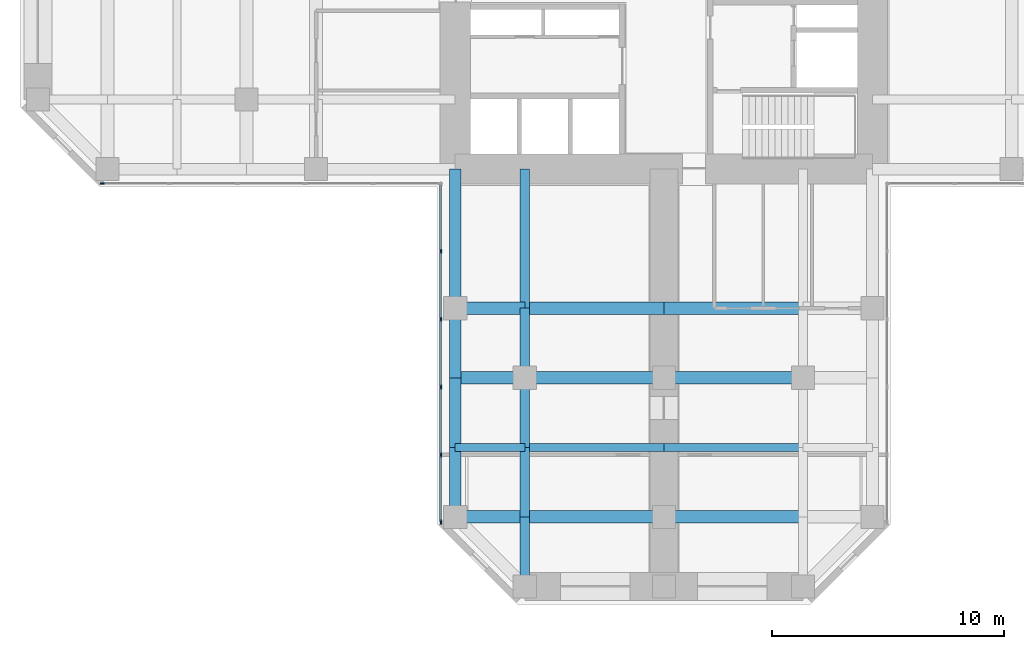
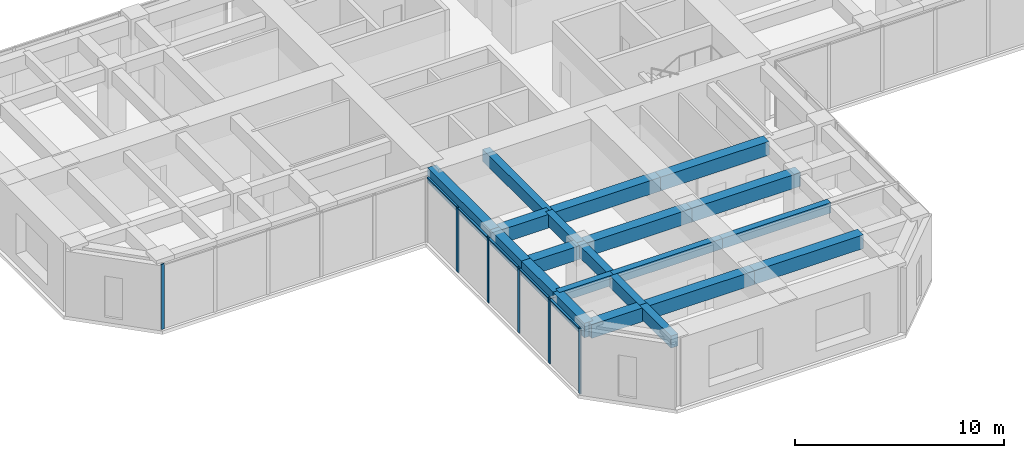
# One storey, part 2 of 12: 21 beams, 11 members, 2 elements without a shape of their own.
"""IFC4 building model written with IfcOpenShell, lengths in metres."""

import ifcopenshell
import ifcopenshell.guid

model = None  # the IFC model being written
_history = None  # IfcOwnerHistory: only IFC2X3 demands one
_inside = {}  # id of a spatial element -> (the spatial element, [elements in it])
_under = {}  # id of a project, library or spatial element -> (it, [spatial elements below it])
_declared = {}  # id of a project -> (the project, [libraries it declares])
_typed = {}  # id of a type object -> (the type object, [elements of that type])
_made_of = {}  # id of a material, layer set ... -> (it, [elements and type objects made of it])


def new_model(schema):
    """Start an empty IFC model of exactly this schema.

    Asked for "IFC4X3", IfcOpenShell would pick the latest addendum, in which some entities
    have other attributes; the version numbers below select the first issue.
    IFC2X3 requires an IfcOwnerHistory on every rooted entity: one is made here for all.
    """
    global model, _history
    if schema == "IFC4X3":
        model = ifcopenshell.file(schema_version=(4, 3, 0, 0))
    else:
        model = ifcopenshell.file(schema=schema)
    _inside.clear()
    _under.clear()
    _declared.clear()
    _typed.clear()
    _made_of.clear()
    _history = None
    if model.schema == "IFC2X3":
        org = make("IfcOrganization", Name="unknown")
        user = make(
            "IfcPersonAndOrganization",
            ThePerson=make("IfcPerson", FamilyName="unknown"),
            TheOrganization=org,
        )
        app = make(
            "IfcApplication",
            ApplicationDeveloper=org,
            Version="unknown",
            ApplicationFullName="unknown",
            ApplicationIdentifier="unknown",
        )
        _history = make(
            "IfcOwnerHistory",
            OwningUser=user,
            OwningApplication=app,
            ChangeAction="ADDED",
            CreationDate=0,
        )
    return model


def make(cls, **values):
    """One entity of the class cls with the attributes given. An attribute that is None is left unset."""
    return model.create_entity(
        cls, **{name: value for name, value in values.items() if value is not None}
    )


def rooted(cls, **values):
    """An entity with a GlobalId (a new one), such as an element, a storey or a relation."""
    return make(cls, GlobalId=ifcopenshell.guid.new(), OwnerHistory=_history, **values)


def si_unit(unit_type, name, prefix=None):
    """IfcSIUnit, for example si_unit("LENGTHUNIT", "METRE", prefix="MILLI")."""
    return make("IfcSIUnit", UnitType=unit_type, Prefix=prefix, Name=name)


def assignment(units):
    """IfcUnitAssignment: the units of a project."""
    return None if units is None else make("IfcUnitAssignment", Units=units)


def point(xyz):
    """IfcCartesianPoint."""
    return None if xyz is None else make("IfcCartesianPoint", Coordinates=xyz)


def direction(xyz):
    """IfcDirection."""
    return None if xyz is None else make("IfcDirection", DirectionRatios=xyz)


def frame(location, z_axis=None, x_axis=None):
    """IfcAxis2Placement3D, a coordinate frame: its origin and axes. An axis left out is left unset."""
    return make(
        "IfcAxis2Placement3D",
        Location=point(location),
        Axis=direction(z_axis),
        RefDirection=direction(x_axis),
    )


def frame_2d(location, x_axis=None):
    """IfcAxis2Placement2D, a coordinate frame in the plane: its origin and x axis."""
    return make(
        "IfcAxis2Placement2D", Location=point(location), RefDirection=direction(x_axis)
    )


def origin():
    """The frame at (0, 0, 0) with its axes left unset."""
    return frame((0.0, 0.0, 0.0))


def origin_2d():
    """The frame at (0, 0) in the plane with its x axis left unset."""
    return frame_2d((0.0, 0.0))


def place(relative_to, where):
    """IfcLocalPlacement: puts the frame where relative to a parent placement (None: the world)."""
    return make(
        "IfcLocalPlacement", PlacementRelTo=relative_to, RelativePlacement=where
    )


def context(
    kind, dimensions, precision=None, world=None, true_north=None, identifier=None
):
    """IfcGeometricRepresentationContext, for example the 3D "Model" context."""
    return make(
        "IfcGeometricRepresentationContext",
        ContextIdentifier=identifier,
        ContextType=kind,
        CoordinateSpaceDimension=dimensions,
        Precision=precision,
        WorldCoordinateSystem=world,
        TrueNorth=true_north,
    )


def subcontext(parent, identifier, kind, view, scale=None):
    """IfcGeometricRepresentationSubContext, for example "Body" below "Model"."""
    return make(
        "IfcGeometricRepresentationSubContext",
        ContextIdentifier=identifier,
        ContextType=kind,
        ParentContext=parent,
        TargetScale=scale,
        TargetView=view,
    )


def project(units=None, contexts=None):
    """IfcProject with its units and contexts."""
    return rooted(
        "IfcProject",
        Name="project",
        RepresentationContexts=contexts,
        UnitsInContext=assignment(units),
    )


def spatial(cls, under=None, at=None, **own):
    """A site, building, storey or space (cls), placed at a placement, below another one or the project."""
    s = rooted(cls, ObjectPlacement=at, **own)
    if under is not None:
        _under.setdefault(under.id(), (under, []))[1].append(s)
    return s


def profile(cls, at=None, kind="AREA", **sizes):
    """A parametric profile (cls). Its sizes go by their IFC names, for example OverallWidth=200.0."""
    return make(cls, ProfileType=kind, Position=at, **sizes)


def rectangle(**sizes):
    """IfcRectangleProfileDef."""
    return profile("IfcRectangleProfileDef", **sizes)


def extrude(swept, where, along, depth):
    """IfcExtrudedAreaSolid: the profile swept, set in the frame where, extruded along a direction by depth."""
    return make(
        "IfcExtrudedAreaSolid",
        SweptArea=swept,
        Position=where,
        ExtrudedDirection=direction(along),
        Depth=depth,
    )


def shape(context_of_items, identifier, shape_type, items):
    """IfcShapeRepresentation: the items that make up one representation, for example the "Body"."""
    return make(
        "IfcShapeRepresentation",
        ContextOfItems=context_of_items,
        RepresentationIdentifier=identifier,
        RepresentationType=shape_type,
        Items=items,
    )


def material(Name=None, Category=None):
    """IfcMaterial."""
    return make("IfcMaterial", Name=Name, Category=Category)


def material_profile(
    of_material, cross_section, Name=None, Category=None, Priority=None
):
    """IfcMaterialProfile: a cross section and its material."""
    return make(
        "IfcMaterialProfile",
        Name=Name,
        Material=of_material,
        Profile=cross_section,
        Priority=Priority,
        Category=Category,
    )


def profile_set(profiles, Name=None, composite=None):
    """IfcMaterialProfileSet."""
    return make(
        "IfcMaterialProfileSet",
        Name=Name,
        MaterialProfiles=profiles,
        CompositeProfile=composite,
    )


def made_of(thing, what):
    """Note that an element or type object is made of a material, layer set ...; save() writes the relation."""
    if what is not None:
        _made_of.setdefault(what.id(), (what, []))[1].append(thing)
    return thing


def type_object(cls, material=None, **own):
    """A type object (cls), such as IfcWallType, which elements share."""
    return made_of(rooted(cls, **own), material)


def element(
    cls,
    number,
    at=None,
    inside=None,
    cuts=None,
    type_object=None,
    material=None,
    context=None,
    identifier="Body",
    shape_type=None,
    held_by="IfcProductDefinitionShape",
    body=None,
    shapes=None,
    **own,
):
    """One element of the class cls, such as IfcWall. Its Tag is "e" and its number.

    at: its placement. inside: the storey or other place that contains it. cuts: it is an
    opening in that element (IfcRelVoidsElement). A single representation is given by context,
    identifier, shape_type and body (its items); several are given by shapes. held_by: the class
    of the entity that holds the representations. save() writes the other relations.
    """
    e = rooted(cls, Tag="e%d" % number, ObjectPlacement=at, **own)
    if body is not None:
        shapes = [shape(context, identifier, shape_type, body)]
    if shapes is not None:
        e.Representation = make(held_by, Representations=shapes)
    if inside is not None:
        _inside.setdefault(inside.id(), (inside, []))[1].append(e)
    if cuts is not None:
        rooted(
            "IfcRelVoidsElement", RelatingBuildingElement=cuts, RelatedOpeningElement=e
        )
    if type_object is not None:
        _typed.setdefault(type_object.id(), (type_object, []))[1].append(e)
    return made_of(e, material)


def aggregate(whole, parts):
    """IfcRelAggregates: a whole, such as a stair, and the parts it consists of."""
    return rooted("IfcRelAggregates", RelatingObject=whole, RelatedObjects=parts)


def save(model, path):
    """Write the relations noted so far, then the file.

    IfcRelAggregates (storeys below a building ...), IfcRelContainedInSpatialStructure (elements
    in a storey), IfcRelDefinesByType, IfcRelAssociatesMaterial and IfcRelDeclares: one each for
    every whole, place, type object, material and project.
    """
    for whole, parts in _under.values():
        aggregate(whole, parts)
    for where, things in _inside.values():
        rooted(
            "IfcRelContainedInSpatialStructure",
            RelatedElements=things,
            RelatingStructure=where,
        )
    for kind, things in _typed.values():
        rooted("IfcRelDefinesByType", RelatedObjects=things, RelatingType=kind)
    for what, things in _made_of.values():
        rooted("IfcRelAssociatesMaterial", RelatedObjects=things, RelatingMaterial=what)
    for by, libraries in _declared.values():
        rooted("IfcRelDeclares", RelatingContext=by, RelatedDefinitions=libraries)
    model.write(path)


model = new_model("IFC4")

# Units and contexts
model_context = context("Model", 3, precision=1e-05, world=origin(), true_north=direction((0.0, 1.0)))
body_context = subcontext(model_context, "Body", "Model", "MODEL_VIEW")
ifc_project = project(units=[si_unit("LENGTHUNIT", "METRE"), si_unit("AREAUNIT", "SQUARE_METRE"), si_unit("VOLUMEUNIT", "CUBIC_METRE"), si_unit("PLANEANGLEUNIT", "RADIAN"), si_unit("MASSUNIT", "GRAM", prefix="KILO")], contexts=[model_context])

# Site, building, storey
site_placement = place(None, origin())
site = spatial("IfcSite", under=ifc_project, at=site_placement, CompositionType="ELEMENT")
building_placement = place(site_placement, origin())
building = spatial("IfcBuilding", under=site, at=building_placement, Name="Torre Cruceta", CompositionType="ELEMENT")
storey_placement = place(building_placement, frame((0.0, 0.0, 144.5)))
storey = spatial("IfcBuildingStorey", under=building, at=storey_placement, Name="L35", CompositionType="ELEMENT", Elevation=144.5)

# Beams
ifc_material_1 = material(Name="Concrete G60 (fck 60 MPa)", Category="concrete")
ifc_material_profile_1 = material_profile(ifc_material_1, rectangle(XDim=0.39990234375, YDim=0.699951171875, at=origin_2d()), Name="RC 400X700")
ifc_profile_set_1 = profile_set([ifc_material_profile_1], Name="Concrete G60 (fck 60 MPa)")
beam_type_1 = type_object("IfcBeamType", Name="COLUMN LINE BEAM RC 400X700", PredefinedType="BEAM", material=ifc_profile_set_1)
beam_1_placement = place(storey_placement, frame((-6.0, -9.0, 3.449951171875), z_axis=(0.0, -1.0, 0.0), x_axis=(1.0, 0.0, 0.0)))
element("IfcBeam", 1, at=beam_1_placement, inside=storey, type_object=beam_type_1, Name="LB5 L35 S col- 1", PredefinedType="BEAM", context=body_context, shape_type="SweptSolid", body=[
    extrude(rectangle(XDim=0.39990234375, YDim=0.699951171875, at=origin_2d()), origin(), (0.0, 0.0, 1.0), 6.0),
])
for number, where, z_axis, x_axis, name in (
    (2, (-6.0, -15.0, 3.449951171875), (0.0, -1.0, 0.0), (1.0, 0.0, 0.0), "LB5 L35 S col- 2"),
    (3, (-6.0, -18.0, 3.449951171875), (0.0, -1.0, 0.0), (1.0, 0.0, 0.0), "LB5 L35 S col- 3"),
    (4, (-6.0, -21.0, 3.449951171875), (0.0, -1.0, 0.0), (1.0, 0.0, 0.0), "LB5 L35 S col- 4"),
    (5, (-6.0, -24.0, 3.449951171875), (0.0, -1.0, 0.0), (1.0, 0.0, 0.0), "LB5 L35 S col- 5"),
):
    element("IfcBeam", number, at=place(storey_placement, frame(where, z_axis=z_axis, x_axis=x_axis)), inside=storey, type_object=beam_type_1, Name=name, PredefinedType="BEAM", context=body_context, shape_type="SweptSolid", body=[
        extrude(rectangle(XDim=0.39990234375, YDim=0.699951171875, at=origin_2d()), origin(), (0.0, 0.0, 1.0), 3.0),
    ])
ifc_material_2 = material(Name="Concrete G60 (fck 60 MPa)", Category="concrete")
ifc_material_profile_2 = material_profile(ifc_material_2, rectangle(XDim=0.550048828125, YDim=0.800048828125, at=origin_2d()), Name="RC 550X800")
ifc_profile_set_2 = profile_set([ifc_material_profile_2], Name="Concrete G60 (fck 60 MPa)")
beam_type_2 = type_object("IfcBeamType", Name="CROSS BEAM RC 550X800", PredefinedType="BEAM", material=ifc_profile_set_2)
beam_2_placement = place(storey_placement, frame((-9.0, -15.0, 3.39990234375), z_axis=(1.0, 0.0, 0.0), x_axis=(0.0, 1.0, 0.0)))
element("IfcBeam", 6, at=beam_2_placement, inside=storey, type_object=beam_type_2, Name="GB5 L35 S cross15 1", PredefinedType="BEAM", context=body_context, shape_type="SweptSolid", body=[
    extrude(rectangle(XDim=0.550048828125, YDim=0.800048828125, at=origin_2d()), origin(), (0.0, 0.0, 1.0), 3.0),
])
for number, where, z_axis, x_axis, name in (
    (7, (-6.0, -15.0, 3.39990234375), (1.0, 0.0, 0.0), (0.0, 1.0, 0.0), "GB5 L35 S cross15 2"),
    (8, (0.0, -15.0, 3.39990234375), (1.0, 0.0, 0.0), (0.0, 1.0, 0.0), "GB5 L35 S cross15 3"),
):
    element("IfcBeam", number, at=place(storey_placement, frame(where, z_axis=z_axis, x_axis=x_axis)), inside=storey, type_object=beam_type_2, Name=name, PredefinedType="BEAM", context=body_context, shape_type="SweptSolid", body=[
        extrude(rectangle(XDim=0.550048828125, YDim=0.800048828125, at=origin_2d()), origin(), (0.0, 0.0, 1.0), 6.0),
    ])
beam_3_placement = place(storey_placement, frame((-9.0, -18.0, 3.39990234375), z_axis=(1.0, 0.0, 0.0), x_axis=(0.0, 1.0, 0.0)))
element("IfcBeam", 9, at=beam_3_placement, inside=storey, type_object=beam_type_2, Name="GB5 L35 S cross18 1", PredefinedType="BEAM", context=body_context, shape_type="SweptSolid", body=[
    extrude(rectangle(XDim=0.550048828125, YDim=0.800048828125, at=origin_2d()), origin(), (0.0, 0.0, 1.0), 3.0),
])
for number, where, z_axis, x_axis, name in (
    (10, (-6.0, -18.0, 3.39990234375), (1.0, 0.0, 0.0), (0.0, 1.0, 0.0), "GB5 L35 S cross18 2"),
    (11, (0.0, -18.0, 3.39990234375), (1.0, 0.0, 0.0), (0.0, 1.0, 0.0), "GB5 L35 S cross18 3"),
):
    element("IfcBeam", number, at=place(storey_placement, frame(where, z_axis=z_axis, x_axis=x_axis)), inside=storey, type_object=beam_type_2, Name=name, PredefinedType="BEAM", context=body_context, shape_type="SweptSolid", body=[
        extrude(rectangle(XDim=0.550048828125, YDim=0.800048828125, at=origin_2d()), origin(), (0.0, 0.0, 1.0), 6.0),
    ])
beam_4_placement = place(storey_placement, frame((-9.0, -24.0, 3.39990234375), z_axis=(1.0, 0.0, 0.0), x_axis=(0.0, 1.0, 0.0)))
element("IfcBeam", 12, at=beam_4_placement, inside=storey, type_object=beam_type_2, Name="GB5 L35 S cross24 1", PredefinedType="BEAM", context=body_context, shape_type="SweptSolid", body=[
    extrude(rectangle(XDim=0.550048828125, YDim=0.800048828125, at=origin_2d()), origin(), (0.0, 0.0, 1.0), 3.0),
])
for number, where, z_axis, x_axis, name in (
    (13, (-6.0, -24.0, 3.39990234375), (1.0, 0.0, 0.0), (0.0, 1.0, 0.0), "GB5 L35 S cross24 2"),
    (14, (0.0, -24.0, 3.39990234375), (1.0, 0.0, 0.0), (0.0, 1.0, 0.0), "GB5 L35 S cross24 3"),
):
    element("IfcBeam", number, at=place(storey_placement, frame(where, z_axis=z_axis, x_axis=x_axis)), inside=storey, type_object=beam_type_2, Name=name, PredefinedType="BEAM", context=body_context, shape_type="SweptSolid", body=[
        extrude(rectangle(XDim=0.550048828125, YDim=0.800048828125, at=origin_2d()), origin(), (0.0, 0.0, 1.0), 6.0),
    ])

# Curtain wall, member
ifc_material_3 = material(Name="Aluminium unitised curtain wall", Category="aluminium")
curtain_wall_type = type_object("IfcCurtainWallType", Name="CURTAIN WALL CW-B OFFICE MID RISE", PredefinedType="USERDEFINED", material=ifc_material_3)
curtain_wall_1_placement = place(storey_placement, origin())
curtain_wall_1 = element("IfcCurtainWall", 15, at=curtain_wall_1_placement, inside=storey, type_object=curtain_wall_type, Name="CW-B L35 W side 14", ObjectType="UNITISED", PredefinedType="USERDEFINED")
ifc_material_4 = material(Name="Aluminium mullion", Category="aluminium")
ifc_material_profile_3 = material_profile(ifc_material_4, rectangle(XDim=0.06494140625, YDim=0.179931640625, at=origin_2d()), Name="AL 65X180")
ifc_profile_set_3 = profile_set([ifc_material_profile_3], Name="Aluminium mullion")
member_type_1 = type_object("IfcMemberType", Name="CW-B MULLION 65X180", PredefinedType="MULLION", material=ifc_profile_set_3)
member_1_placement = place(storey_placement, frame((-24.224365234375, -9.6201171875, 0.0), z_axis=(0.0, 0.0, 1.0), x_axis=(0.0, 1.0, 0.0)))
member_1 = element("IfcMember", 16, at=member_1_placement, type_object=member_type_1, Name="CW-B mullion 1", PredefinedType="MULLION", context=body_context, shape_type="SweptSolid", body=[
    extrude(rectangle(XDim=0.06494140625, YDim=0.179931640625, at=origin_2d()), origin(), (0.0, 0.0, 1.0), 3.800048828125),
])
aggregate(curtain_wall_1, [member_1])

# Curtain wall, members
curtain_wall_2_placement = place(storey_placement, origin())
curtain_wall_2 = element("IfcCurtainWall", 17, at=curtain_wall_2_placement, inside=storey, type_object=curtain_wall_type, Name="CW-B L35 S side 15", ObjectType="UNITISED", PredefinedType="USERDEFINED")
member_2_placement = place(storey_placement, frame((-9.6201171875, -12.54736328125, 0.0), z_axis=(0.0, 0.0, 1.0), x_axis=(1.0, 0.0, 0.0)))
member_2 = element("IfcMember", 18, at=member_2_placement, type_object=member_type_1, Name="CW-B mullion 2", PredefinedType="MULLION", context=body_context, shape_type="SweptSolid", body=[
    extrude(rectangle(XDim=0.06494140625, YDim=0.179931640625, at=origin_2d()), origin(), (0.0, 0.0, 1.0), 3.800048828125),
])
member_3_placement = place(storey_placement, frame((-9.6201171875, -15.474609375, 0.0), z_axis=(0.0, 0.0, 1.0), x_axis=(1.0, 0.0, 0.0)))
member_3 = element("IfcMember", 19, at=member_3_placement, type_object=member_type_1, Name="CW-B mullion 3", PredefinedType="MULLION", context=body_context, shape_type="SweptSolid", body=[
    extrude(rectangle(XDim=0.06494140625, YDim=0.179931640625, at=origin_2d()), origin(), (0.0, 0.0, 1.0), 3.800048828125),
])
member_4_placement = place(storey_placement, frame((-9.6201171875, -18.402099609375, 0.0), z_axis=(0.0, 0.0, 1.0), x_axis=(1.0, 0.0, 0.0)))
member_4 = element("IfcMember", 20, at=member_4_placement, type_object=member_type_1, Name="CW-B mullion 4", PredefinedType="MULLION", context=body_context, shape_type="SweptSolid", body=[
    extrude(rectangle(XDim=0.06494140625, YDim=0.179931640625, at=origin_2d()), origin(), (0.0, 0.0, 1.0), 3.800048828125),
])
member_5_placement = place(storey_placement, frame((-9.6201171875, -21.329345703125, 0.0), z_axis=(0.0, 0.0, 1.0), x_axis=(1.0, 0.0, 0.0)))
member_5 = element("IfcMember", 21, at=member_5_placement, type_object=member_type_1, Name="CW-B mullion 5", PredefinedType="MULLION", context=body_context, shape_type="SweptSolid", body=[
    extrude(rectangle(XDim=0.06494140625, YDim=0.179931640625, at=origin_2d()), origin(), (0.0, 0.0, 1.0), 3.800048828125),
])
member_6_placement = place(storey_placement, frame((-9.6201171875, -24.224365234375, 0.0), z_axis=(0.0, 0.0, 1.0), x_axis=(1.0, 0.0, 0.0)))
member_6 = element("IfcMember", 22, at=member_6_placement, type_object=member_type_1, Name="CW-B mullion 6", PredefinedType="MULLION", context=body_context, shape_type="SweptSolid", body=[
    extrude(rectangle(XDim=0.06494140625, YDim=0.179931640625, at=origin_2d()), origin(), (0.0, 0.0, 1.0), 3.800048828125),
])
ifc_material_5 = material(Name="Aluminium transom", Category="aluminium")
ifc_material_profile_4 = material_profile(ifc_material_5, rectangle(XDim=0.110107421875, YDim=0.06494140625, at=origin_2d()), Name="AL 110X65")
ifc_profile_set_4 = profile_set([ifc_material_profile_4], Name="Aluminium transom")
member_type_2 = type_object("IfcMemberType", Name="CW-B TRANSOM 65X110", PredefinedType="USERDEFINED", material=ifc_profile_set_4)
member_7_placement = place(storey_placement, frame((-9.6201171875, -9.68505859375, 3.767578125), z_axis=(0.0, -1.0, 0.0), x_axis=(1.0, 0.0, 0.0)))
member_7 = element("IfcMember", 23, at=member_7_placement, type_object=member_type_2, Name="CW-B transom 1", ObjectType="TRANSOM", PredefinedType="USERDEFINED", context=body_context, shape_type="SweptSolid", body=[
    extrude(rectangle(XDim=0.110107421875, YDim=0.06494140625, at=origin_2d()), origin(), (0.0, 0.0, 1.0), 2.829833984375),
])
member_8_placement = place(storey_placement, frame((-9.6201171875, -12.579833984375, 3.767578125), z_axis=(0.0, -1.0, 0.0), x_axis=(1.0, 0.0, 0.0)))
member_8 = element("IfcMember", 24, at=member_8_placement, type_object=member_type_2, Name="CW-B transom 2", ObjectType="TRANSOM", PredefinedType="USERDEFINED", context=body_context, shape_type="SweptSolid", body=[
    extrude(rectangle(XDim=0.110107421875, YDim=0.06494140625, at=origin_2d()), origin(), (0.0, 0.0, 1.0), 2.8623046875),
])
member_9_placement = place(storey_placement, frame((-9.6201171875, -15.50732421875, 3.767578125), z_axis=(0.0, -1.0, 0.0), x_axis=(1.0, 0.0, 0.0)))
member_9 = element("IfcMember", 25, at=member_9_placement, type_object=member_type_2, Name="CW-B transom 3", ObjectType="TRANSOM", PredefinedType="USERDEFINED", context=body_context, shape_type="SweptSolid", body=[
    extrude(rectangle(XDim=0.110107421875, YDim=0.06494140625, at=origin_2d()), origin(), (0.0, 0.0, 1.0), 2.8623046875),
])
member_10_placement = place(storey_placement, frame((-9.6201171875, -18.4345703125, 3.767578125), z_axis=(0.0, -1.0, 0.0), x_axis=(1.0, 0.0, 0.0)))
member_10 = element("IfcMember", 26, at=member_10_placement, type_object=member_type_2, Name="CW-B transom 4", ObjectType="TRANSOM", PredefinedType="USERDEFINED", context=body_context, shape_type="SweptSolid", body=[
    extrude(rectangle(XDim=0.110107421875, YDim=0.06494140625, at=origin_2d()), origin(), (0.0, 0.0, 1.0), 2.8623046875),
])
member_11_placement = place(storey_placement, frame((-9.6201171875, -21.362060546875, 3.767578125), z_axis=(0.0, -1.0, 0.0), x_axis=(1.0, 0.0, 0.0)))
member_11 = element("IfcMember", 27, at=member_11_placement, type_object=member_type_2, Name="CW-B transom 5", ObjectType="TRANSOM", PredefinedType="USERDEFINED", context=body_context, shape_type="SweptSolid", body=[
    extrude(rectangle(XDim=0.110107421875, YDim=0.06494140625, at=origin_2d()), origin(), (0.0, 0.0, 1.0), 2.829833984375),
])
aggregate(curtain_wall_2, [member_2, member_3, member_4, member_5, member_6, member_7, member_8, member_9, member_10, member_11])

# Beams
ifc_material_6 = material(Name="Concrete G60 (fck 60 MPa)", Category="concrete")
ifc_material_profile_5 = material_profile(ifc_material_6, rectangle(XDim=0.35009765625, YDim=0.60009765625, at=origin_2d()), Name="RC 350X600")
ifc_profile_set_5 = profile_set([ifc_material_profile_5], Name="Concrete G60 (fck 60 MPa)")
beam_type_3 = type_object("IfcBeamType", Name="SECONDARY BEAM RC 350X600", PredefinedType="JOIST", material=ifc_profile_set_5)
beam_5_placement = place(storey_placement, frame((-9.0, -21.0, 3.5), z_axis=(1.0, 0.0, 0.0), x_axis=(0.0, 1.0, 0.0)))
element("IfcBeam", 28, at=beam_5_placement, inside=storey, type_object=beam_type_3, Name="JB5 L35 S sec21 1", PredefinedType="JOIST", context=body_context, shape_type="SweptSolid", body=[
    extrude(rectangle(XDim=0.35009765625, YDim=0.60009765625, at=origin_2d()), origin(), (0.0, 0.0, 1.0), 3.0),
])
for number, where, z_axis, x_axis, name in (
    (29, (-6.0, -21.0, 3.5), (1.0, 0.0, 0.0), (0.0, 1.0, 0.0), "JB5 L35 S sec21 2"),
    (30, (0.0, -21.0, 3.5), (1.0, 0.0, 0.0), (0.0, 1.0, 0.0), "JB5 L35 S sec21 3"),
):
    element("IfcBeam", number, at=place(storey_placement, frame(where, z_axis=z_axis, x_axis=x_axis)), inside=storey, type_object=beam_type_3, Name=name, PredefinedType="JOIST", context=body_context, shape_type="SweptSolid", body=[
        extrude(rectangle(XDim=0.35009765625, YDim=0.60009765625, at=origin_2d()), origin(), (0.0, 0.0, 1.0), 6.0),
    ])
ifc_material_7 = material(Name="Concrete G60 (fck 60 MPa)", Category="concrete")
ifc_material_profile_6 = material_profile(ifc_material_7, rectangle(XDim=0.5, YDim=0.85009765625, at=origin_2d()), Name="RC 500X850")
ifc_profile_set_6 = profile_set([ifc_material_profile_6], Name="Concrete G60 (fck 60 MPa)")
beam_type_4 = type_object("IfcBeamType", Name="SPANDREL BEAM RC 500X850", PredefinedType="SPANDREL", material=ifc_profile_set_6)
beam_6_placement = place(storey_placement, frame((-9.0, -9.0, 3.375), z_axis=(0.0, -1.0, 0.0), x_axis=(1.0, 0.0, 0.0)))
element("IfcBeam", 31, at=beam_6_placement, inside=storey, type_object=beam_type_4, Name="SB5 L35 S side- 1", PredefinedType="SPANDREL", context=body_context, shape_type="SweptSolid", body=[
    extrude(rectangle(XDim=0.5, YDim=0.85009765625, at=origin_2d()), origin(), (0.0, 0.0, 1.0), 6.0),
])
for number, where, z_axis, x_axis, name in (
    (32, (-9.0, -15.0, 3.375), (0.0, -1.0, 0.0), (1.0, 0.0, 0.0), "SB5 L35 S side- 2"),
    (33, (-9.0, -18.0, 3.375), (0.0, -1.0, 0.0), (1.0, 0.0, 0.0), "SB5 L35 S side- 3"),
    (34, (-9.0, -21.0, 3.375), (0.0, -1.0, 0.0), (1.0, 0.0, 0.0), "SB5 L35 S side- 4"),
):
    element("IfcBeam", number, at=place(storey_placement, frame(where, z_axis=z_axis, x_axis=x_axis)), inside=storey, type_object=beam_type_4, Name=name, PredefinedType="SPANDREL", context=body_context, shape_type="SweptSolid", body=[
        extrude(rectangle(XDim=0.5, YDim=0.85009765625, at=origin_2d()), origin(), (0.0, 0.0, 1.0), 3.0),
    ])

save(model, "model.ifc")
